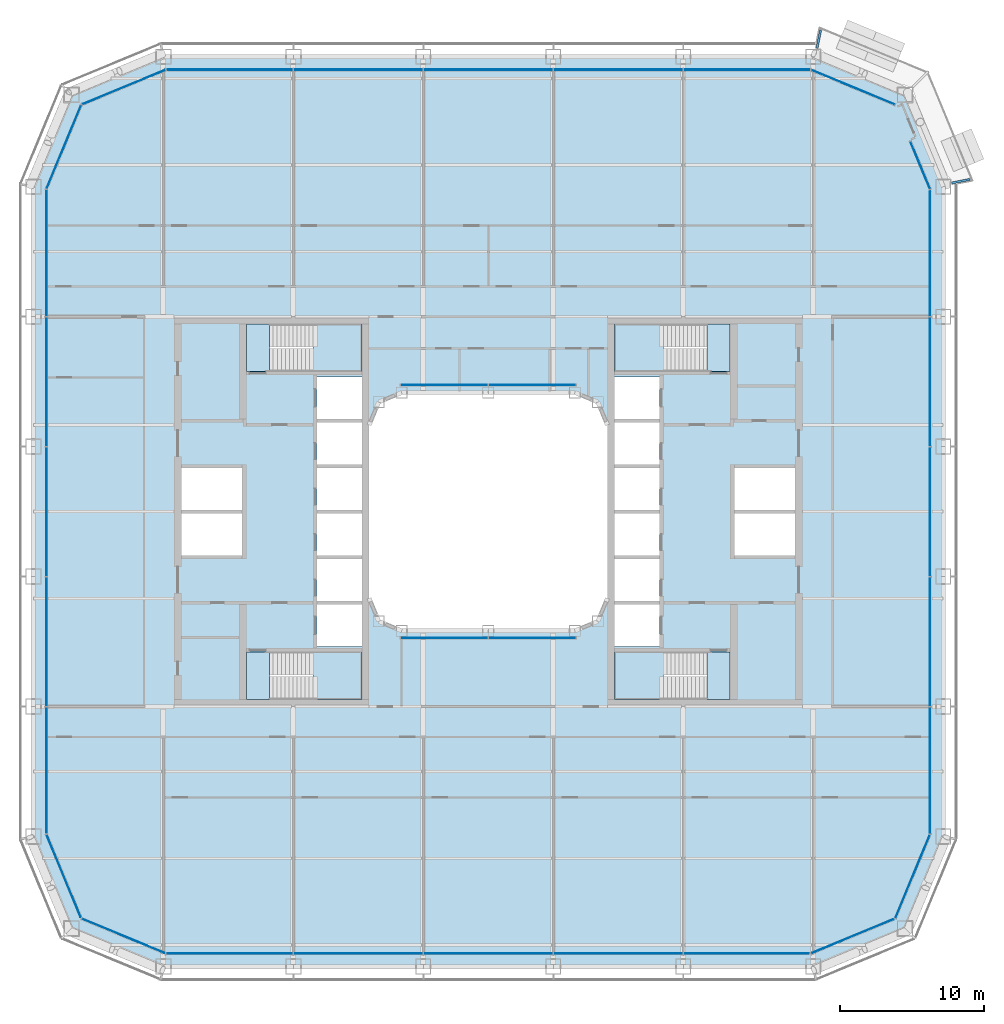
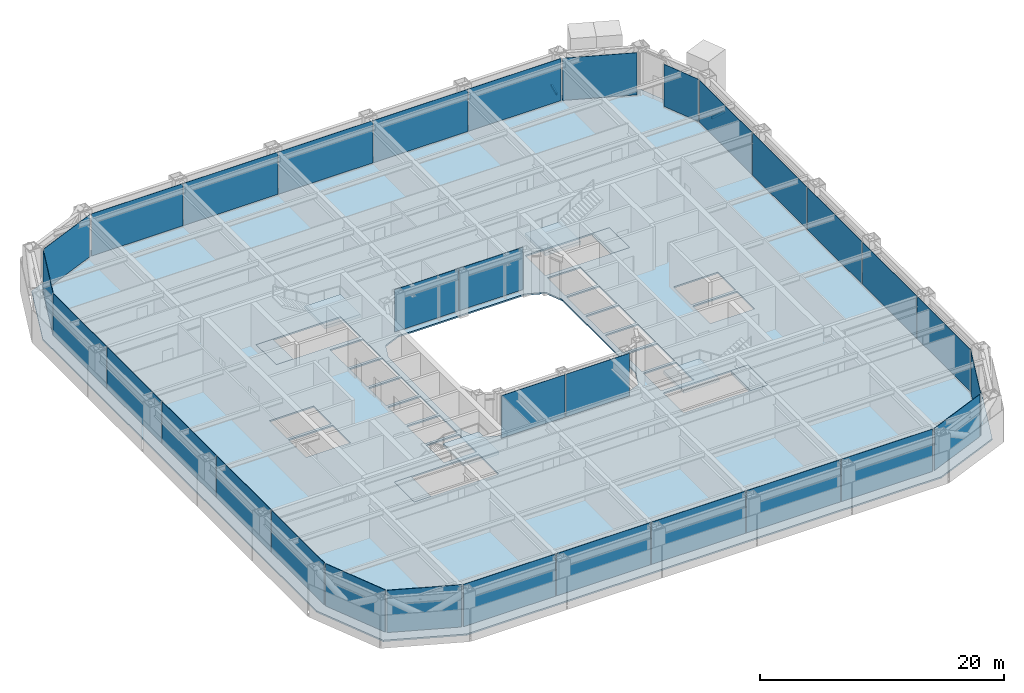
# One storey, part 11 of 30: 32 plates, 9 slabs, 2 beams, 18 elements without a shape of their own.
"""IFC4 building model written with IfcOpenShell, lengths in metres."""

from ifc_helpers import new_model, si_unit, direction, frame, origin, origin_2d, place, context, subcontext, project, spatial, polyline, rectangle, hollow_rectangle, outline, extrude, material, layer, layer_set, material_profile, profile_set, type_object, element, aggregate, save


model = new_model("IFC4")

# Units and contexts
model_context = context("Model", 3, precision=1e-05, world=origin(), true_north=direction((0.0, 1.0)))
body_context = subcontext(model_context, "Body", "Model", "MODEL_VIEW")
ifc_project = project(units=[si_unit("LENGTHUNIT", "METRE"), si_unit("AREAUNIT", "SQUARE_METRE"), si_unit("VOLUMEUNIT", "CUBIC_METRE"), si_unit("PLANEANGLEUNIT", "RADIAN"), si_unit("MASSUNIT", "GRAM", prefix="KILO")], contexts=[model_context])

# Site, building, storey
site_placement = place(None, origin())
site = spatial("IfcSite", under=ifc_project, at=site_placement, CompositionType="ELEMENT")
building_placement = place(site_placement, origin())
building = spatial("IfcBuilding", under=site, at=building_placement, Name="Siwar Civic Tower", CompositionType="ELEMENT")
storey_placement = place(building_placement, frame((0.0, 0.0, 26.699951171875)))
storey = spatial("IfcBuildingStorey", under=building, at=storey_placement, Name="L05", CompositionType="ELEMENT", Elevation=26.699951171875)

# Beams
ifc_material_1 = material(Name="Steel S355", Category="steel")
ifc_material_profile = material_profile(ifc_material_1, hollow_rectangle(XDim=0.14990234375, YDim=0.25, WallThickness=0.010009765625, at=origin_2d()), Name="RHS250x150x10")
ifc_profile_set = profile_set([ifc_material_profile], Name="Steel S355")
beam_type = type_object("IfcBeamType", Name="ENV-BALCONY ARM", PredefinedType="BEAM", material=ifc_profile_set)
for number, where, z_axis, x_axis, name in (
    (1, (32.059814453125, 22.754150390625, -0.27490234375), (0.980799833553, 0.195017144127, 0.0), (-0.195017144127, 0.980799833553, 0.0), "Balcony cantilever beam NE 1"),
    (2, (22.754150390625, 32.059814453125, -0.27490234375), (0.195017144127, 0.980799833553, 0.0), (-0.980799833553, 0.195017144127, 0.0), "Balcony cantilever beam NE 3"),
):
    element("IfcBeam", number, at=place(storey_placement, frame(where, z_axis=z_axis, x_axis=x_axis)), inside=storey, type_object=beam_type, Name=name, PredefinedType="BEAM", context=body_context, shape_type="SweptSolid", body=[
        extrude(hollow_rectangle(XDim=0.14990234375, YDim=0.25, WallThickness=0.010009765625, at=origin_2d()), origin(), (0.0, 0.0, 1.0), 1.324462890625),
    ])

# Stair, slabs
ifc_material_2 = material(Name="Concrete C40/50", Category="concrete")
stair_type = type_object("IfcStairType", Name="CORE-STAIR", PredefinedType="TWO_STRAIGHT_RUN_STAIR", material=ifc_material_2)
stair_1_placement = place(storey_placement, origin())
stair_1 = element("IfcStair", 3, at=stair_1_placement, inside=storey, type_object=stair_type, Name="Exit stair ST1", PredefinedType="TWO_STRAIGHT_RUN_STAIR")
ifc_material_3 = material(Name="Concrete C40/50", Category="concrete")
ifc_layer_1 = layer(ifc_material_3, 0.300048828125)
ifc_layer_set_1 = layer_set([ifc_layer_1], Name="Concrete C40/50")
slab_type_1 = type_object("IfcSlabType", Name="CORE-STAIR-LANDING", PredefinedType="LANDING", material=ifc_layer_set_1)
slab_1_placement = place(storey_placement, frame((0.0, 0.0, -0.300048828125)))
slab_1 = element("IfcSlab", 4, at=slab_1_placement, type_object=slab_type_1, Name="ST1 landing 1", PredefinedType="LANDING", context=body_context, shape_type="SweptSolid", body=[
    extrude(outline(polyline([(-15.14990234375, 13.0), (-16.75, 13.0), (-16.75, 9.699951171875), (-15.14990234375, 9.699951171875), (-15.14990234375, 13.0)])), origin(), (0.0, 0.0, 1.0), 0.300048828125),
])
slab_2_placement = place(storey_placement, frame((0.0, 0.0, 1.949951171875)))
slab_2 = element("IfcSlab", 5, at=slab_2_placement, type_object=slab_type_1, Name="ST1 landing 2", PredefinedType="LANDING", context=body_context, shape_type="SweptSolid", body=[
    extrude(outline(polyline([(-8.75, 13.0), (-12.139892578125, 13.0), (-12.139892578125, 9.699951171875), (-8.75, 9.699951171875), (-8.75, 13.0)])), origin(), (0.0, 0.0, 1.0), 0.300048828125),
])
aggregate(stair_1, [slab_1, slab_2])

stair_2_placement = place(storey_placement, origin())
stair_2 = element("IfcStair", 6, at=stair_2_placement, inside=storey, type_object=stair_type, Name="Exit stair ST2", PredefinedType="TWO_STRAIGHT_RUN_STAIR")
slab_3_placement = place(storey_placement, frame((0.0, 0.0, -0.300048828125)))
slab_3 = element("IfcSlab", 7, at=slab_3_placement, type_object=slab_type_1, Name="ST2 landing 1", PredefinedType="LANDING", context=body_context, shape_type="SweptSolid", body=[
    extrude(outline(polyline([(-15.14990234375, -9.699951171875), (-16.75, -9.699951171875), (-16.75, -13.0), (-15.14990234375, -13.0), (-15.14990234375, -9.699951171875)])), origin(), (0.0, 0.0, 1.0), 0.300048828125),
])
slab_4_placement = place(storey_placement, frame((0.0, 0.0, 1.949951171875)))
slab_4 = element("IfcSlab", 8, at=slab_4_placement, type_object=slab_type_1, Name="ST2 landing 2", PredefinedType="LANDING", context=body_context, shape_type="SweptSolid", body=[
    extrude(outline(polyline([(-8.75, -9.699951171875), (-12.139892578125, -9.699951171875), (-12.139892578125, -13.0), (-8.75, -13.0), (-8.75, -9.699951171875)])), origin(), (0.0, 0.0, 1.0), 0.300048828125),
])
aggregate(stair_2, [slab_3, slab_4])

stair_3_placement = place(storey_placement, origin())
stair_3 = element("IfcStair", 9, at=stair_3_placement, inside=storey, type_object=stair_type, Name="Exit stair ST3", PredefinedType="TWO_STRAIGHT_RUN_STAIR")
slab_5_placement = place(storey_placement, frame((0.0, 0.0, -0.300048828125)))
slab_5 = element("IfcSlab", 10, at=slab_5_placement, type_object=slab_type_1, Name="ST3 landing 1", PredefinedType="LANDING", context=body_context, shape_type="SweptSolid", body=[
    extrude(outline(polyline([(15.14990234375, 9.699951171875), (16.75, 9.699951171875), (16.75, 13.0), (15.14990234375, 13.0), (15.14990234375, 9.699951171875)])), origin(), (0.0, 0.0, 1.0), 0.300048828125),
])
slab_6_placement = place(storey_placement, frame((0.0, 0.0, 1.949951171875)))
slab_6 = element("IfcSlab", 11, at=slab_6_placement, type_object=slab_type_1, Name="ST3 landing 2", PredefinedType="LANDING", context=body_context, shape_type="SweptSolid", body=[
    extrude(outline(polyline([(8.75, 9.699951171875), (12.139892578125, 9.699951171875), (12.139892578125, 13.0), (8.75, 13.0), (8.75, 9.699951171875)])), origin(), (0.0, 0.0, 1.0), 0.300048828125),
])
aggregate(stair_3, [slab_5, slab_6])

stair_4_placement = place(storey_placement, origin())
stair_4 = element("IfcStair", 12, at=stair_4_placement, inside=storey, type_object=stair_type, Name="Exit stair ST4", PredefinedType="TWO_STRAIGHT_RUN_STAIR")
slab_7_placement = place(storey_placement, frame((0.0, 0.0, -0.300048828125)))
slab_7 = element("IfcSlab", 13, at=slab_7_placement, type_object=slab_type_1, Name="ST4 landing 1", PredefinedType="LANDING", context=body_context, shape_type="SweptSolid", body=[
    extrude(outline(polyline([(15.14990234375, -13.0), (16.75, -13.0), (16.75, -9.699951171875), (15.14990234375, -9.699951171875), (15.14990234375, -13.0)])), origin(), (0.0, 0.0, 1.0), 0.300048828125),
])
slab_8_placement = place(storey_placement, frame((0.0, 0.0, 1.949951171875)))
slab_8 = element("IfcSlab", 14, at=slab_8_placement, type_object=slab_type_1, Name="ST4 landing 2", PredefinedType="LANDING", context=body_context, shape_type="SweptSolid", body=[
    extrude(outline(polyline([(8.75, -13.0), (12.139892578125, -13.0), (12.139892578125, -9.699951171875), (8.75, -9.699951171875), (8.75, -13.0)])), origin(), (0.0, 0.0, 1.0), 0.300048828125),
])
aggregate(stair_4, [slab_7, slab_8])

# Curtain wall, plates
ifc_material_4 = material(Name="Aluminium and glass", Category="aluminium")
ifc_layer_2 = layer(ifc_material_4, 0.219970703125)
ifc_layer_set_2 = layer_set([ifc_layer_2], Name="Aluminium and glass")
curtain_wall_type_1 = type_object("IfcCurtainWallType", Name="ENV-CW-A", PredefinedType="NOTDEFINED", material=ifc_layer_set_2)
curtain_wall_1_placement = place(storey_placement, origin())
curtain_wall_1 = element("IfcCurtainWall", 15, at=curtain_wall_1_placement, inside=storey, type_object=curtain_wall_type_1, Name="Curtain wall A S", PredefinedType="NOTDEFINED")
ifc_material_5 = material(Name="Glass clear laminated", Category="glass")
ifc_layer_3 = layer(ifc_material_5, 0.035888671875)
ifc_layer_set_3 = layer_set([ifc_layer_3], Name="Glass clear laminated")
plate_type_1 = type_object("IfcPlateType", Name="ENV-PANEL-A", PredefinedType="CURTAIN_PANEL", material=ifc_layer_set_3)
plate_1_placement = place(storey_placement, frame((-17.910400390625, -30.60009765625, 0.1201171875), z_axis=(0.0, 0.0, 1.0), x_axis=(1.0, 0.0, 0.0)))
plate_1 = element("IfcPlate", 16, at=plate_1_placement, type_object=plate_type_1, Name="Curtain panel A S 1", PredefinedType="CURTAIN_PANEL", context=body_context, shape_type="SweptSolid", body=[
    extrude(rectangle(XDim=8.7509765625, YDim=0.035888671875, at=origin_2d()), origin(), (0.0, 0.0, 1.0), 4.22998046875),
])
plate_2_placement = place(storey_placement, frame((-9.0, -30.60009765625, 0.1201171875), z_axis=(0.0, 0.0, 1.0), x_axis=(1.0, 0.0, 0.0)))
plate_2 = element("IfcPlate", 17, at=plate_2_placement, type_object=plate_type_1, Name="Curtain panel A S 2", PredefinedType="CURTAIN_PANEL", context=body_context, shape_type="SweptSolid", body=[
    extrude(rectangle(XDim=8.929931640625, YDim=0.035888671875, at=origin_2d()), origin(), (0.0, 0.0, 1.0), 4.22998046875),
])
plate_3_placement = place(storey_placement, frame((0.0, -30.60009765625, 0.1201171875), z_axis=(0.0, 0.0, 1.0), x_axis=(1.0, 0.0, 0.0)))
plate_3 = element("IfcPlate", 18, at=plate_3_placement, type_object=plate_type_1, Name="Curtain panel A S 3", PredefinedType="CURTAIN_PANEL", context=body_context, shape_type="SweptSolid", body=[
    extrude(rectangle(XDim=8.929931640625, YDim=0.035888671875, at=origin_2d()), origin(), (0.0, 0.0, 1.0), 4.22998046875),
])
plate_4_placement = place(storey_placement, frame((9.0, -30.60009765625, 0.1201171875), z_axis=(0.0, 0.0, 1.0), x_axis=(1.0, 0.0, 0.0)))
plate_4 = element("IfcPlate", 19, at=plate_4_placement, type_object=plate_type_1, Name="Curtain panel A S 4", PredefinedType="CURTAIN_PANEL", context=body_context, shape_type="SweptSolid", body=[
    extrude(rectangle(XDim=8.929931640625, YDim=0.035888671875, at=origin_2d()), origin(), (0.0, 0.0, 1.0), 4.22998046875),
])
plate_5_placement = place(storey_placement, frame((17.86669921875, -30.60009765625, 0.1201171875), z_axis=(0.0, 0.0, 1.0), x_axis=(1.0, 0.0, 0.0)))
plate_5 = element("IfcPlate", 20, at=plate_5_placement, type_object=plate_type_1, Name="Curtain panel A S 5", PredefinedType="CURTAIN_PANEL", context=body_context, shape_type="SweptSolid", body=[
    extrude(rectangle(XDim=8.663330078125, YDim=0.035888671875, at=origin_2d()), origin(), (0.0, 0.0, 1.0), 4.22998046875),
])
aggregate(curtain_wall_1, [plate_1, plate_2, plate_3, plate_4, plate_5])

curtain_wall_2_placement = place(storey_placement, origin())
curtain_wall_2 = element("IfcCurtainWall", 21, at=curtain_wall_2_placement, inside=storey, type_object=curtain_wall_type_1, Name="Curtain wall A E", PredefinedType="NOTDEFINED")
plate_6_placement = place(storey_placement, frame((30.60009765625, -17.910400390625, 0.1201171875), z_axis=(0.0, 0.0, 1.0), x_axis=(0.0, 1.0, 0.0)))
plate_6 = element("IfcPlate", 22, at=plate_6_placement, type_object=plate_type_1, Name="Curtain panel A E 1", PredefinedType="CURTAIN_PANEL", context=body_context, shape_type="SweptSolid", body=[
    extrude(rectangle(XDim=8.7509765625, YDim=0.035888671875, at=origin_2d()), origin(), (0.0, 0.0, 1.0), 4.22998046875),
])
plate_7_placement = place(storey_placement, frame((30.60009765625, -9.0, 0.1201171875), z_axis=(0.0, 0.0, 1.0), x_axis=(0.0, 1.0, 0.0)))
plate_7 = element("IfcPlate", 23, at=plate_7_placement, type_object=plate_type_1, Name="Curtain panel A E 2", PredefinedType="CURTAIN_PANEL", context=body_context, shape_type="SweptSolid", body=[
    extrude(rectangle(XDim=8.929931640625, YDim=0.035888671875, at=origin_2d()), origin(), (0.0, 0.0, 1.0), 4.22998046875),
])
plate_8_placement = place(storey_placement, frame((30.60009765625, 0.0, 0.1201171875), z_axis=(0.0, 0.0, 1.0), x_axis=(0.0, 1.0, 0.0)))
plate_8 = element("IfcPlate", 24, at=plate_8_placement, type_object=plate_type_1, Name="Curtain panel A E 3", PredefinedType="CURTAIN_PANEL", context=body_context, shape_type="SweptSolid", body=[
    extrude(rectangle(XDim=8.929931640625, YDim=0.035888671875, at=origin_2d()), origin(), (0.0, 0.0, 1.0), 4.22998046875),
])
plate_9_placement = place(storey_placement, frame((30.60009765625, 9.0, 0.1201171875), z_axis=(0.0, 0.0, 1.0), x_axis=(0.0, 1.0, 0.0)))
plate_9 = element("IfcPlate", 25, at=plate_9_placement, type_object=plate_type_1, Name="Curtain panel A E 4", PredefinedType="CURTAIN_PANEL", context=body_context, shape_type="SweptSolid", body=[
    extrude(rectangle(XDim=8.929931640625, YDim=0.035888671875, at=origin_2d()), origin(), (0.0, 0.0, 1.0), 4.22998046875),
])
plate_10_placement = place(storey_placement, frame((30.60009765625, 17.86669921875, 0.1201171875), z_axis=(0.0, 0.0, 1.0), x_axis=(0.0, 1.0, 0.0)))
plate_10 = element("IfcPlate", 26, at=plate_10_placement, type_object=plate_type_1, Name="Curtain panel A E 5", PredefinedType="CURTAIN_PANEL", context=body_context, shape_type="SweptSolid", body=[
    extrude(rectangle(XDim=8.663330078125, YDim=0.035888671875, at=origin_2d()), origin(), (0.0, 0.0, 1.0), 4.22998046875),
])
aggregate(curtain_wall_2, [plate_6, plate_7, plate_8, plate_9, plate_10])

curtain_wall_3_placement = place(storey_placement, origin())
curtain_wall_3 = element("IfcCurtainWall", 27, at=curtain_wall_3_placement, inside=storey, type_object=curtain_wall_type_1, Name="Curtain wall A N", PredefinedType="NOTDEFINED")
plate_11_placement = place(storey_placement, frame((17.910400390625, 30.60009765625, 0.1201171875), z_axis=(0.0, 0.0, 1.0), x_axis=(-1.0, 0.0, 0.0)))
plate_11 = element("IfcPlate", 28, at=plate_11_placement, type_object=plate_type_1, Name="Curtain panel A N 1", PredefinedType="CURTAIN_PANEL", context=body_context, shape_type="SweptSolid", body=[
    extrude(rectangle(XDim=8.7509765625, YDim=0.035888671875, at=origin_2d()), origin(), (0.0, 0.0, 1.0), 4.22998046875),
])
plate_12_placement = place(storey_placement, frame((9.0, 30.60009765625, 0.1201171875), z_axis=(0.0, 0.0, 1.0), x_axis=(-1.0, 0.0, 0.0)))
plate_12 = element("IfcPlate", 29, at=plate_12_placement, type_object=plate_type_1, Name="Curtain panel A N 2", PredefinedType="CURTAIN_PANEL", context=body_context, shape_type="SweptSolid", body=[
    extrude(rectangle(XDim=8.929931640625, YDim=0.035888671875, at=origin_2d()), origin(), (0.0, 0.0, 1.0), 4.22998046875),
])
plate_13_placement = place(storey_placement, frame((0.0, 30.60009765625, 0.1201171875), z_axis=(0.0, 0.0, 1.0), x_axis=(-1.0, 0.0, 0.0)))
plate_13 = element("IfcPlate", 30, at=plate_13_placement, type_object=plate_type_1, Name="Curtain panel A N 3", PredefinedType="CURTAIN_PANEL", context=body_context, shape_type="SweptSolid", body=[
    extrude(rectangle(XDim=8.929931640625, YDim=0.035888671875, at=origin_2d()), origin(), (0.0, 0.0, 1.0), 4.22998046875),
])
plate_14_placement = place(storey_placement, frame((-9.0, 30.60009765625, 0.1201171875), z_axis=(0.0, 0.0, 1.0), x_axis=(-1.0, 0.0, 0.0)))
plate_14 = element("IfcPlate", 31, at=plate_14_placement, type_object=plate_type_1, Name="Curtain panel A N 4", PredefinedType="CURTAIN_PANEL", context=body_context, shape_type="SweptSolid", body=[
    extrude(rectangle(XDim=8.929931640625, YDim=0.035888671875, at=origin_2d()), origin(), (0.0, 0.0, 1.0), 4.22998046875),
])
plate_15_placement = place(storey_placement, frame((-17.86669921875, 30.60009765625, 0.1201171875), z_axis=(0.0, 0.0, 1.0), x_axis=(-1.0, 0.0, 0.0)))
plate_15 = element("IfcPlate", 32, at=plate_15_placement, type_object=plate_type_1, Name="Curtain panel A N 5", PredefinedType="CURTAIN_PANEL", context=body_context, shape_type="SweptSolid", body=[
    extrude(rectangle(XDim=8.663330078125, YDim=0.035888671875, at=origin_2d()), origin(), (0.0, 0.0, 1.0), 4.22998046875),
])
aggregate(curtain_wall_3, [plate_11, plate_12, plate_13, plate_14, plate_15])

curtain_wall_4_placement = place(storey_placement, origin())
curtain_wall_4 = element("IfcCurtainWall", 33, at=curtain_wall_4_placement, inside=storey, type_object=curtain_wall_type_1, Name="Curtain wall A W", PredefinedType="NOTDEFINED")
plate_16_placement = place(storey_placement, frame((-30.60009765625, 17.910400390625, 0.1201171875), z_axis=(0.0, 0.0, 1.0), x_axis=(0.0, -1.0, 0.0)))
plate_16 = element("IfcPlate", 34, at=plate_16_placement, type_object=plate_type_1, Name="Curtain panel A W 1", PredefinedType="CURTAIN_PANEL", context=body_context, shape_type="SweptSolid", body=[
    extrude(rectangle(XDim=8.7509765625, YDim=0.035888671875, at=origin_2d()), origin(), (0.0, 0.0, 1.0), 4.22998046875),
])
plate_17_placement = place(storey_placement, frame((-30.60009765625, 9.0, 0.1201171875), z_axis=(0.0, 0.0, 1.0), x_axis=(0.0, -1.0, 0.0)))
plate_17 = element("IfcPlate", 35, at=plate_17_placement, type_object=plate_type_1, Name="Curtain panel A W 2", PredefinedType="CURTAIN_PANEL", context=body_context, shape_type="SweptSolid", body=[
    extrude(rectangle(XDim=8.929931640625, YDim=0.035888671875, at=origin_2d()), origin(), (0.0, 0.0, 1.0), 4.22998046875),
])
plate_18_placement = place(storey_placement, frame((-30.60009765625, 0.0, 0.1201171875), z_axis=(0.0, 0.0, 1.0), x_axis=(0.0, -1.0, 0.0)))
plate_18 = element("IfcPlate", 36, at=plate_18_placement, type_object=plate_type_1, Name="Curtain panel A W 3", PredefinedType="CURTAIN_PANEL", context=body_context, shape_type="SweptSolid", body=[
    extrude(rectangle(XDim=8.929931640625, YDim=0.035888671875, at=origin_2d()), origin(), (0.0, 0.0, 1.0), 4.22998046875),
])
plate_19_placement = place(storey_placement, frame((-30.60009765625, -9.0, 0.1201171875), z_axis=(0.0, 0.0, 1.0), x_axis=(0.0, -1.0, 0.0)))
plate_19 = element("IfcPlate", 37, at=plate_19_placement, type_object=plate_type_1, Name="Curtain panel A W 4", PredefinedType="CURTAIN_PANEL", context=body_context, shape_type="SweptSolid", body=[
    extrude(rectangle(XDim=8.929931640625, YDim=0.035888671875, at=origin_2d()), origin(), (0.0, 0.0, 1.0), 4.22998046875),
])
plate_20_placement = place(storey_placement, frame((-30.60009765625, -17.86669921875, 0.1201171875), z_axis=(0.0, 0.0, 1.0), x_axis=(0.0, -1.0, 0.0)))
plate_20 = element("IfcPlate", 38, at=plate_20_placement, type_object=plate_type_1, Name="Curtain panel A W 5", PredefinedType="CURTAIN_PANEL", context=body_context, shape_type="SweptSolid", body=[
    extrude(rectangle(XDim=8.663330078125, YDim=0.035888671875, at=origin_2d()), origin(), (0.0, 0.0, 1.0), 4.22998046875),
])
aggregate(curtain_wall_4, [plate_16, plate_17, plate_18, plate_19, plate_20])

# Curtain wall, plate
ifc_material_6 = material(Name="Aluminium clad insulated panel", Category="aluminium")
ifc_layer_4 = layer(ifc_material_6, 0.219970703125)
ifc_layer_set_4 = layer_set([ifc_layer_4], Name="Aluminium clad insulated panel")
curtain_wall_type_2 = type_object("IfcCurtainWallType", Name="ENV-CW-AX", PredefinedType="NOTDEFINED", material=ifc_layer_set_4)
curtain_wall_5_placement = place(storey_placement, origin())
curtain_wall_5 = element("IfcCurtainWall", 39, at=curtain_wall_5_placement, inside=storey, type_object=curtain_wall_type_2, Name="Curtain wall A SE1", PredefinedType="NOTDEFINED")
ifc_material_7 = material(Name="Aluminium clad insulated panel", Category="aluminium")
ifc_layer_5 = layer(ifc_material_7, 0.035888671875)
ifc_layer_set_5 = layer_set([ifc_layer_5], Name="Aluminium clad insulated panel")
plate_type_2 = type_object("IfcPlateType", Name="ENV-PANEL-AX", PredefinedType="CURTAIN_PANEL", material=ifc_layer_set_5)
plate_21_placement = place(storey_placement, frame((25.20751953125, -29.404296875, 0.1201171875), z_axis=(0.0, 0.0, 1.0), x_axis=(0.923879532511, 0.382683432365, 0.0)))
plate_21 = element("IfcPlate", 40, at=plate_21_placement, type_object=plate_type_2, Name="Curtain panel A SE1 1", PredefinedType="CURTAIN_PANEL", context=body_context, shape_type="SweptSolid", body=[
    extrude(rectangle(XDim=6.178955078125, YDim=0.035888671875, at=origin_2d()), origin(), (0.0, 0.0, 1.0), 4.22998046875),
])
aggregate(curtain_wall_5, [plate_21])

curtain_wall_6_placement = place(storey_placement, origin())
curtain_wall_6 = element("IfcCurtainWall", 41, at=curtain_wall_6_placement, inside=storey, type_object=curtain_wall_type_2, Name="Curtain wall A SE2", PredefinedType="NOTDEFINED")
plate_22_placement = place(storey_placement, frame((29.370849609375, -25.28857421875, 0.1201171875), z_axis=(0.0, 0.0, 1.0), x_axis=(0.382683432365, 0.923879532511, 0.0)))
plate_22 = element("IfcPlate", 42, at=plate_22_placement, type_object=plate_type_2, Name="Curtain panel A SE2 1", PredefinedType="CURTAIN_PANEL", context=body_context, shape_type="SweptSolid", body=[
    extrude(rectangle(XDim=6.178955078125, YDim=0.035888671875, at=origin_2d()), origin(), (0.0, 0.0, 1.0), 4.22998046875),
])
aggregate(curtain_wall_6, [plate_22])

curtain_wall_7_placement = place(storey_placement, origin())
curtain_wall_7 = element("IfcCurtainWall", 43, at=curtain_wall_7_placement, inside=storey, type_object=curtain_wall_type_2, Name="Curtain wall A NE1", PredefinedType="NOTDEFINED")
plate_23_placement = place(storey_placement, frame((29.90966796875, 23.9873046875, 0.1201171875), z_axis=(0.0, 0.0, 1.0), x_axis=(-0.382683432365, 0.923879532511, 0.0)))
plate_23 = element("IfcPlate", 44, at=plate_23_placement, type_object=plate_type_2, Name="Curtain panel A NE1 1", PredefinedType="CURTAIN_PANEL", context=body_context, shape_type="SweptSolid", body=[
    extrude(rectangle(XDim=3.537353515625, YDim=0.035888671875, at=origin_2d()), origin(), (0.0, 0.0, 1.0), 4.22998046875),
])
aggregate(curtain_wall_7, [plate_23])

curtain_wall_8_placement = place(storey_placement, origin())
curtain_wall_8 = element("IfcCurtainWall", 45, at=curtain_wall_8_placement, inside=storey, type_object=curtain_wall_type_2, Name="Curtain wall A NE2", PredefinedType="NOTDEFINED")
plate_24_placement = place(storey_placement, frame((25.28857421875, 29.370849609375, 0.1201171875), z_axis=(0.0, 0.0, 1.0), x_axis=(-0.923879532511, 0.382683432365, 0.0)))
plate_24 = element("IfcPlate", 46, at=plate_24_placement, type_object=plate_type_2, Name="Curtain panel A NE2 1", PredefinedType="CURTAIN_PANEL", context=body_context, shape_type="SweptSolid", body=[
    extrude(rectangle(XDim=6.178955078125, YDim=0.035888671875, at=origin_2d()), origin(), (0.0, 0.0, 1.0), 4.22998046875),
])
aggregate(curtain_wall_8, [plate_24])

curtain_wall_9_placement = place(storey_placement, origin())
curtain_wall_9 = element("IfcCurtainWall", 47, at=curtain_wall_9_placement, inside=storey, type_object=curtain_wall_type_2, Name="Curtain wall A NW1", PredefinedType="NOTDEFINED")
plate_25_placement = place(storey_placement, frame((-25.20751953125, 29.404296875, 0.1201171875), z_axis=(0.0, 0.0, 1.0), x_axis=(-0.923879532511, -0.382683432365, 0.0)))
plate_25 = element("IfcPlate", 48, at=plate_25_placement, type_object=plate_type_2, Name="Curtain panel A NW1 1", PredefinedType="CURTAIN_PANEL", context=body_context, shape_type="SweptSolid", body=[
    extrude(rectangle(XDim=6.178955078125, YDim=0.035888671875, at=origin_2d()), origin(), (0.0, 0.0, 1.0), 4.22998046875),
])
aggregate(curtain_wall_9, [plate_25])

curtain_wall_10_placement = place(storey_placement, origin())
curtain_wall_10 = element("IfcCurtainWall", 49, at=curtain_wall_10_placement, inside=storey, type_object=curtain_wall_type_2, Name="Curtain wall A NW2", PredefinedType="NOTDEFINED")
plate_26_placement = place(storey_placement, frame((-29.370849609375, 25.28857421875, 0.1201171875), z_axis=(0.0, 0.0, 1.0), x_axis=(-0.382683432365, -0.923879532511, 0.0)))
plate_26 = element("IfcPlate", 50, at=plate_26_placement, type_object=plate_type_2, Name="Curtain panel A NW2 1", PredefinedType="CURTAIN_PANEL", context=body_context, shape_type="SweptSolid", body=[
    extrude(rectangle(XDim=6.178955078125, YDim=0.035888671875, at=origin_2d()), origin(), (0.0, 0.0, 1.0), 4.22998046875),
])
aggregate(curtain_wall_10, [plate_26])

curtain_wall_11_placement = place(storey_placement, origin())
curtain_wall_11 = element("IfcCurtainWall", 51, at=curtain_wall_11_placement, inside=storey, type_object=curtain_wall_type_2, Name="Curtain wall A SW1", PredefinedType="NOTDEFINED")
plate_27_placement = place(storey_placement, frame((-29.404296875, -25.20751953125, 0.1201171875), z_axis=(0.0, 0.0, 1.0), x_axis=(0.382683432365, -0.923879532511, 0.0)))
plate_27 = element("IfcPlate", 52, at=plate_27_placement, type_object=plate_type_2, Name="Curtain panel A SW1 1", PredefinedType="CURTAIN_PANEL", context=body_context, shape_type="SweptSolid", body=[
    extrude(rectangle(XDim=6.178955078125, YDim=0.035888671875, at=origin_2d()), origin(), (0.0, 0.0, 1.0), 4.22998046875),
])
aggregate(curtain_wall_11, [plate_27])

curtain_wall_12_placement = place(storey_placement, origin())
curtain_wall_12 = element("IfcCurtainWall", 53, at=curtain_wall_12_placement, inside=storey, type_object=curtain_wall_type_2, Name="Curtain wall A SW2", PredefinedType="NOTDEFINED")
plate_28_placement = place(storey_placement, frame((-25.28857421875, -29.370849609375, 0.1201171875), z_axis=(0.0, 0.0, 1.0), x_axis=(0.923879532511, -0.382683432365, 0.0)))
plate_28 = element("IfcPlate", 54, at=plate_28_placement, type_object=plate_type_2, Name="Curtain panel A SW2 1", PredefinedType="CURTAIN_PANEL", context=body_context, shape_type="SweptSolid", body=[
    extrude(rectangle(XDim=6.178955078125, YDim=0.035888671875, at=origin_2d()), origin(), (0.0, 0.0, 1.0), 4.22998046875),
])
aggregate(curtain_wall_12, [plate_28])

# Curtain wall, plates
ifc_material_8 = material(Name="Aluminium and glass", Category="aluminium")
ifc_layer_6 = layer(ifc_material_8, 0.179931640625)
ifc_layer_set_6 = layer_set([ifc_layer_6], Name="Aluminium and glass")
curtain_wall_type_3 = type_object("IfcCurtainWallType", Name="ENV-CW-W", PredefinedType="NOTDEFINED", material=ifc_layer_set_6)
curtain_wall_13_placement = place(storey_placement, origin())
curtain_wall_13 = element("IfcCurtainWall", 55, at=curtain_wall_13_placement, inside=storey, type_object=curtain_wall_type_3, Name="Curtain wall W WS", PredefinedType="NOTDEFINED")
ifc_material_9 = material(Name="Glass clear laminated", Category="glass")
ifc_layer_7 = layer(ifc_material_9, 0.031982421875)
ifc_layer_set_7 = layer_set([ifc_layer_7], Name="Glass clear laminated")
plate_type_3 = type_object("IfcPlateType", Name="ENV-PANEL-W", PredefinedType="CURTAIN_PANEL", material=ifc_layer_set_7)
plate_29_placement = place(storey_placement, frame((-3.05078125, -8.760009765625, 0.10009765625), z_axis=(0.0, 0.0, 1.0), x_axis=(1.0, 0.0, 0.0)))
plate_29 = element("IfcPlate", 56, at=plate_29_placement, type_object=plate_type_3, Name="Curtain panel W WS 1", PredefinedType="CURTAIN_PANEL", context=body_context, shape_type="SweptSolid", body=[
    extrude(rectangle(XDim=6.04150390625, YDim=0.031982421875, at=origin_2d()), origin(), (0.0, 0.0, 1.0), 4.25),
])
plate_30_placement = place(storey_placement, frame((3.05078125, -8.760009765625, 0.10009765625), z_axis=(0.0, 0.0, 1.0), x_axis=(1.0, 0.0, 0.0)))
plate_30 = element("IfcPlate", 57, at=plate_30_placement, type_object=plate_type_3, Name="Curtain panel W WS 2", PredefinedType="CURTAIN_PANEL", context=body_context, shape_type="SweptSolid", body=[
    extrude(rectangle(XDim=6.04150390625, YDim=0.031982421875, at=origin_2d()), origin(), (0.0, 0.0, 1.0), 4.25),
])
aggregate(curtain_wall_13, [plate_29, plate_30])

curtain_wall_14_placement = place(storey_placement, origin())
curtain_wall_14 = element("IfcCurtainWall", 58, at=curtain_wall_14_placement, inside=storey, type_object=curtain_wall_type_3, Name="Curtain wall W WN", PredefinedType="NOTDEFINED")
plate_31_placement = place(storey_placement, frame((3.05078125, 8.760009765625, 0.10009765625), z_axis=(0.0, 0.0, 1.0), x_axis=(-1.0, 0.0, 0.0)))
plate_31 = element("IfcPlate", 59, at=plate_31_placement, type_object=plate_type_3, Name="Curtain panel W WN 1", PredefinedType="CURTAIN_PANEL", context=body_context, shape_type="SweptSolid", body=[
    extrude(rectangle(XDim=6.04150390625, YDim=0.031982421875, at=origin_2d()), origin(), (0.0, 0.0, 1.0), 4.25),
])
plate_32_placement = place(storey_placement, frame((-3.05078125, 8.760009765625, 0.10009765625), z_axis=(0.0, 0.0, 1.0), x_axis=(-1.0, 0.0, 0.0)))
plate_32 = element("IfcPlate", 60, at=plate_32_placement, type_object=plate_type_3, Name="Curtain panel W WN 2", PredefinedType="CURTAIN_PANEL", context=body_context, shape_type="SweptSolid", body=[
    extrude(rectangle(XDim=6.04150390625, YDim=0.031982421875, at=origin_2d()), origin(), (0.0, 0.0, 1.0), 4.25),
])
aggregate(curtain_wall_14, [plate_31, plate_32])

# Slab
ifc_material_10 = material(Name="Concrete C40/50", Category="concrete")
ifc_layer_8 = layer(ifc_material_10, 0.14990234375)
ifc_layer_set_8 = layer_set([ifc_layer_8], Name="Concrete C40/50")
slab_type_2 = type_object("IfcSlabType", Name="STR-FLOOR-DECK-150", PredefinedType="FLOOR", material=ifc_layer_set_8)
slab_9_placement = place(storey_placement, frame((0.0, 0.0, -0.14990234375)))
element("IfcSlab", 61, at=slab_9_placement, inside=storey, type_object=slab_type_2, Name="L05/slab/1", PredefinedType="FLOOR", context=body_context, shape_type="SweptSolid", body=[
    extrude(outline(polyline([(-22.5, -31.5), (22.5, -31.5), (28.864013671875, -28.864013671875), (31.5, -22.5), (31.5, 22.5), (28.864013671875, 28.864013671875), (22.5, 31.5), (-22.5, 31.5), (-28.864013671875, 28.864013671875), (-31.5, 22.5), (-31.5, -22.5), (-28.864013671875, -28.864013671875), (-22.5, -31.5)]), holes=[polyline([(21.25, 3.02490234375), (21.25, 0.125), (17.050048828125, 0.125), (17.050048828125, 3.02490234375), (21.25, 3.02490234375)]), polyline([(17.050048828125, -0.125), (21.25, -0.125), (21.25, -3.02490234375), (17.050048828125, -3.02490234375), (17.050048828125, -0.125)]), polyline([(16.75, 13.0), (16.75, 9.699951171875), (8.75, 9.699951171875), (8.75, 13.0), (16.75, 13.0)]), polyline([(8.75, -9.699951171875), (16.75, -9.699951171875), (16.75, -13.0), (8.75, -13.0), (8.75, -9.699951171875)]), polyline([(11.85009765625, 9.324951171875), (11.85009765625, 6.425048828125), (8.75, 6.425048828125), (8.75, 9.324951171875), (11.85009765625, 9.324951171875)]), polyline([(11.85009765625, 3.02490234375), (11.85009765625, 0.125), (8.75, 0.125), (8.75, 3.02490234375), (11.85009765625, 3.02490234375)]), polyline([(11.85009765625, -0.125), (11.85009765625, -3.02490234375), (8.75, -3.02490234375), (8.75, -0.125), (11.85009765625, -0.125)]), polyline([(11.85009765625, -3.27490234375), (11.85009765625, -6.175048828125), (8.75, -6.175048828125), (8.75, -3.27490234375), (11.85009765625, -3.27490234375)]), polyline([(8.75, 6.175048828125), (11.85009765625, 6.175048828125), (11.85009765625, 3.27490234375), (8.75, 3.27490234375), (8.75, 6.175048828125)]), polyline([(8.75, -6.425048828125), (11.85009765625, -6.425048828125), (11.85009765625, -9.324951171875), (8.75, -9.324951171875), (8.75, -6.425048828125)]), polyline([(-6.0, 8.25), (6.0, 8.25), (7.591064453125, 7.591064453125), (8.25, 6.0), (8.25, -6.0), (7.591064453125, -7.591064453125), (6.0, -8.25), (-6.0, -8.25), (-7.591064453125, -7.591064453125), (-8.25, -6.0), (-8.25, 6.0), (-7.591064453125, 7.591064453125), (-6.0, 8.25)]), polyline([(-8.75, 9.699951171875), (-16.75, 9.699951171875), (-16.75, 13.0), (-8.75, 13.0), (-8.75, 9.699951171875)]), polyline([(-8.75, 0.125), (-11.85009765625, 0.125), (-11.85009765625, 3.02490234375), (-8.75, 3.02490234375), (-8.75, 0.125)]), polyline([(-8.75, -6.175048828125), (-11.85009765625, -6.175048828125), (-11.85009765625, -3.27490234375), (-8.75, -3.27490234375), (-8.75, -6.175048828125)]), polyline([(-8.75, -9.324951171875), (-11.85009765625, -9.324951171875), (-11.85009765625, -6.425048828125), (-8.75, -6.425048828125), (-8.75, -9.324951171875)]), polyline([(-8.75, -13.0), (-16.75, -13.0), (-16.75, -9.699951171875), (-8.75, -9.699951171875), (-8.75, -13.0)]), polyline([(-11.85009765625, 6.425048828125), (-11.85009765625, 9.324951171875), (-8.75, 9.324951171875), (-8.75, 6.425048828125), (-11.85009765625, 6.425048828125)]), polyline([(-11.85009765625, 3.27490234375), (-11.85009765625, 6.175048828125), (-8.75, 6.175048828125), (-8.75, 3.27490234375), (-11.85009765625, 3.27490234375)]), polyline([(-11.85009765625, -3.02490234375), (-11.85009765625, -0.125), (-8.75, -0.125), (-8.75, -3.02490234375), (-11.85009765625, -3.02490234375)]), polyline([(-21.25, -3.02490234375), (-21.25, -0.125), (-17.050048828125, -0.125), (-17.050048828125, -3.02490234375), (-21.25, -3.02490234375)]), polyline([(-17.050048828125, 0.125), (-21.25, 0.125), (-21.25, 3.02490234375), (-17.050048828125, 3.02490234375), (-17.050048828125, 0.125)])]), origin(), (0.0, 0.0, 1.0), 0.14990234375),
])

save(model, "model.ifc")
